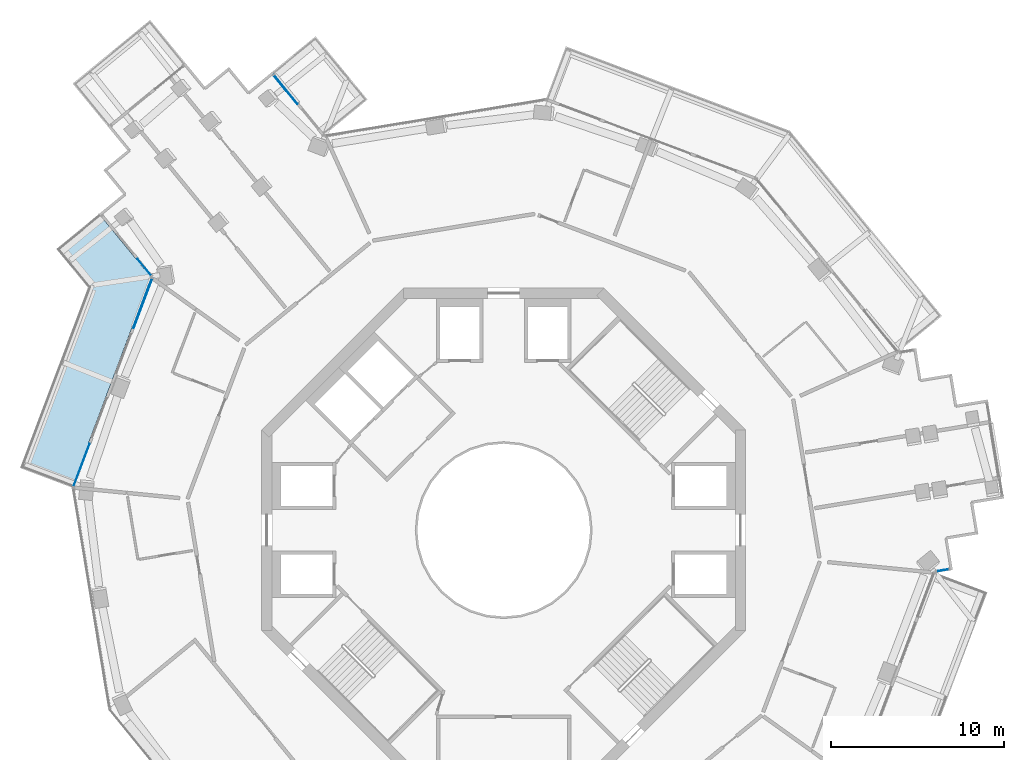
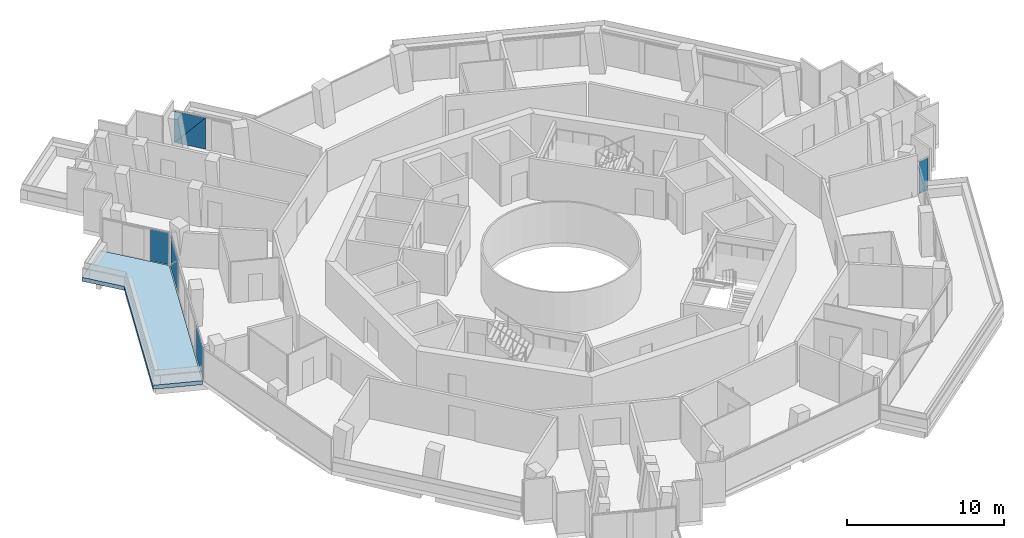
# One storey, part 12 of 21: 7 plates, 1 slab, 4 elements without a shape of their own.
"""IFC4 building model written with IfcOpenShell, lengths in metres."""

import ifcopenshell
import ifcopenshell.guid

model = None  # the IFC model being written
_history = None  # IfcOwnerHistory: only IFC2X3 demands one
_inside = {}  # id of a spatial element -> (the spatial element, [elements in it])
_under = {}  # id of a project, library or spatial element -> (it, [spatial elements below it])
_declared = {}  # id of a project -> (the project, [libraries it declares])
_typed = {}  # id of a type object -> (the type object, [elements of that type])
_made_of = {}  # id of a material, layer set ... -> (it, [elements and type objects made of it])


def new_model(schema):
    """Start an empty IFC model of exactly this schema.

    Asked for "IFC4X3", IfcOpenShell would pick the latest addendum, in which some entities
    have other attributes; the version numbers below select the first issue.
    IFC2X3 requires an IfcOwnerHistory on every rooted entity: one is made here for all.
    """
    global model, _history
    if schema == "IFC4X3":
        model = ifcopenshell.file(schema_version=(4, 3, 0, 0))
    else:
        model = ifcopenshell.file(schema=schema)
    _inside.clear()
    _under.clear()
    _declared.clear()
    _typed.clear()
    _made_of.clear()
    _history = None
    if model.schema == "IFC2X3":
        org = make("IfcOrganization", Name="unknown")
        user = make(
            "IfcPersonAndOrganization",
            ThePerson=make("IfcPerson", FamilyName="unknown"),
            TheOrganization=org,
        )
        app = make(
            "IfcApplication",
            ApplicationDeveloper=org,
            Version="unknown",
            ApplicationFullName="unknown",
            ApplicationIdentifier="unknown",
        )
        _history = make(
            "IfcOwnerHistory",
            OwningUser=user,
            OwningApplication=app,
            ChangeAction="ADDED",
            CreationDate=0,
        )
    return model


def make(cls, **values):
    """One entity of the class cls with the attributes given. An attribute that is None is left unset."""
    return model.create_entity(
        cls, **{name: value for name, value in values.items() if value is not None}
    )


def rooted(cls, **values):
    """An entity with a GlobalId (a new one), such as an element, a storey or a relation."""
    return make(cls, GlobalId=ifcopenshell.guid.new(), OwnerHistory=_history, **values)


def si_unit(unit_type, name, prefix=None):
    """IfcSIUnit, for example si_unit("LENGTHUNIT", "METRE", prefix="MILLI")."""
    return make("IfcSIUnit", UnitType=unit_type, Prefix=prefix, Name=name)


def assignment(units):
    """IfcUnitAssignment: the units of a project."""
    return None if units is None else make("IfcUnitAssignment", Units=units)


def point(xyz):
    """IfcCartesianPoint."""
    return None if xyz is None else make("IfcCartesianPoint", Coordinates=xyz)


def direction(xyz):
    """IfcDirection."""
    return None if xyz is None else make("IfcDirection", DirectionRatios=xyz)


def frame(location, z_axis=None, x_axis=None):
    """IfcAxis2Placement3D, a coordinate frame: its origin and axes. An axis left out is left unset."""
    return make(
        "IfcAxis2Placement3D",
        Location=point(location),
        Axis=direction(z_axis),
        RefDirection=direction(x_axis),
    )


def frame_2d(location, x_axis=None):
    """IfcAxis2Placement2D, a coordinate frame in the plane: its origin and x axis."""
    return make(
        "IfcAxis2Placement2D", Location=point(location), RefDirection=direction(x_axis)
    )


def origin():
    """The frame at (0, 0, 0) with its axes left unset."""
    return frame((0.0, 0.0, 0.0))


def origin_2d():
    """The frame at (0, 0) in the plane with its x axis left unset."""
    return frame_2d((0.0, 0.0))


def place(relative_to, where):
    """IfcLocalPlacement: puts the frame where relative to a parent placement (None: the world)."""
    return make(
        "IfcLocalPlacement", PlacementRelTo=relative_to, RelativePlacement=where
    )


def context(
    kind, dimensions, precision=None, world=None, true_north=None, identifier=None
):
    """IfcGeometricRepresentationContext, for example the 3D "Model" context."""
    return make(
        "IfcGeometricRepresentationContext",
        ContextIdentifier=identifier,
        ContextType=kind,
        CoordinateSpaceDimension=dimensions,
        Precision=precision,
        WorldCoordinateSystem=world,
        TrueNorth=true_north,
    )


def subcontext(parent, identifier, kind, view, scale=None):
    """IfcGeometricRepresentationSubContext, for example "Body" below "Model"."""
    return make(
        "IfcGeometricRepresentationSubContext",
        ContextIdentifier=identifier,
        ContextType=kind,
        ParentContext=parent,
        TargetScale=scale,
        TargetView=view,
    )


def project(units=None, contexts=None):
    """IfcProject with its units and contexts."""
    return rooted(
        "IfcProject",
        Name="project",
        RepresentationContexts=contexts,
        UnitsInContext=assignment(units),
    )


def spatial(cls, under=None, at=None, **own):
    """A site, building, storey or space (cls), placed at a placement, below another one or the project."""
    s = rooted(cls, ObjectPlacement=at, **own)
    if under is not None:
        _under.setdefault(under.id(), (under, []))[1].append(s)
    return s


def polyline(points):
    """IfcPolyline through the points."""
    return make("IfcPolyline", Points=[point(p) for p in points])


def profile(cls, at=None, kind="AREA", **sizes):
    """A parametric profile (cls). Its sizes go by their IFC names, for example OverallWidth=200.0."""
    return make(cls, ProfileType=kind, Position=at, **sizes)


def rectangle(**sizes):
    """IfcRectangleProfileDef."""
    return profile("IfcRectangleProfileDef", **sizes)


def outline(outer, holes=None, kind="AREA"):
    """IfcArbitraryClosedProfileDef: a profile drawn as a closed curve; with holes, ...WithVoids."""
    if holes is None:
        return make("IfcArbitraryClosedProfileDef", ProfileType=kind, OuterCurve=outer)
    return make(
        "IfcArbitraryProfileDefWithVoids",
        ProfileType=kind,
        OuterCurve=outer,
        InnerCurves=holes,
    )


def extrude(swept, where, along, depth):
    """IfcExtrudedAreaSolid: the profile swept, set in the frame where, extruded along a direction by depth."""
    return make(
        "IfcExtrudedAreaSolid",
        SweptArea=swept,
        Position=where,
        ExtrudedDirection=direction(along),
        Depth=depth,
    )


def shape(context_of_items, identifier, shape_type, items):
    """IfcShapeRepresentation: the items that make up one representation, for example the "Body"."""
    return make(
        "IfcShapeRepresentation",
        ContextOfItems=context_of_items,
        RepresentationIdentifier=identifier,
        RepresentationType=shape_type,
        Items=items,
    )


def material(Name=None, Category=None):
    """IfcMaterial."""
    return make("IfcMaterial", Name=Name, Category=Category)


def layer(
    of_material, thickness, ventilated=None, Name=None, Category=None, Priority=None
):
    """IfcMaterialLayer: one layer of a wall or slab, of a material (None: an air gap)."""
    return make(
        "IfcMaterialLayer",
        Material=of_material,
        LayerThickness=thickness,
        IsVentilated=ventilated,
        Name=Name,
        Category=Category,
        Priority=Priority,
    )


def layer_set(layers, Name=None):
    """IfcMaterialLayerSet."""
    return make("IfcMaterialLayerSet", MaterialLayers=layers, LayerSetName=Name)


def made_of(thing, what):
    """Note that an element or type object is made of a material, layer set ...; save() writes the relation."""
    if what is not None:
        _made_of.setdefault(what.id(), (what, []))[1].append(thing)
    return thing


def type_object(cls, material=None, **own):
    """A type object (cls), such as IfcWallType, which elements share."""
    return made_of(rooted(cls, **own), material)


def element(
    cls,
    number,
    at=None,
    inside=None,
    cuts=None,
    type_object=None,
    material=None,
    context=None,
    identifier="Body",
    shape_type=None,
    held_by="IfcProductDefinitionShape",
    body=None,
    shapes=None,
    **own,
):
    """One element of the class cls, such as IfcWall. Its Tag is "e" and its number.

    at: its placement. inside: the storey or other place that contains it. cuts: it is an
    opening in that element (IfcRelVoidsElement). A single representation is given by context,
    identifier, shape_type and body (its items); several are given by shapes. held_by: the class
    of the entity that holds the representations. save() writes the other relations.
    """
    e = rooted(cls, Tag="e%d" % number, ObjectPlacement=at, **own)
    if body is not None:
        shapes = [shape(context, identifier, shape_type, body)]
    if shapes is not None:
        e.Representation = make(held_by, Representations=shapes)
    if inside is not None:
        _inside.setdefault(inside.id(), (inside, []))[1].append(e)
    if cuts is not None:
        rooted(
            "IfcRelVoidsElement", RelatingBuildingElement=cuts, RelatedOpeningElement=e
        )
    if type_object is not None:
        _typed.setdefault(type_object.id(), (type_object, []))[1].append(e)
    return made_of(e, material)


def aggregate(whole, parts):
    """IfcRelAggregates: a whole, such as a stair, and the parts it consists of."""
    return rooted("IfcRelAggregates", RelatingObject=whole, RelatedObjects=parts)


def save(model, path):
    """Write the relations noted so far, then the file.

    IfcRelAggregates (storeys below a building ...), IfcRelContainedInSpatialStructure (elements
    in a storey), IfcRelDefinesByType, IfcRelAssociatesMaterial and IfcRelDeclares: one each for
    every whole, place, type object, material and project.
    """
    for whole, parts in _under.values():
        aggregate(whole, parts)
    for where, things in _inside.values():
        rooted(
            "IfcRelContainedInSpatialStructure",
            RelatedElements=things,
            RelatingStructure=where,
        )
    for kind, things in _typed.values():
        rooted("IfcRelDefinesByType", RelatedObjects=things, RelatingType=kind)
    for what, things in _made_of.values():
        rooted("IfcRelAssociatesMaterial", RelatedObjects=things, RelatingMaterial=what)
    for by, libraries in _declared.values():
        rooted("IfcRelDeclares", RelatingContext=by, RelatedDefinitions=libraries)
    model.write(path)


model = new_model("IFC4")

# Units and contexts
model_context = context("Model", 3, precision=1e-05, world=origin(), true_north=direction((0.0, 1.0)))
body_context = subcontext(model_context, "Body", "Model", "MODEL_VIEW")
ifc_project = project(units=[si_unit("LENGTHUNIT", "METRE"), si_unit("AREAUNIT", "SQUARE_METRE"), si_unit("VOLUMEUNIT", "CUBIC_METRE"), si_unit("PLANEANGLEUNIT", "RADIAN"), si_unit("MASSUNIT", "GRAM", prefix="KILO")], contexts=[model_context])

# Site, building, storey
site_placement = place(None, origin())
site = spatial("IfcSite", under=ifc_project, at=site_placement, CompositionType="ELEMENT")
building_placement = place(site_placement, origin())
building = spatial("IfcBuilding", under=site, at=building_placement, Name="Verdalira Terraces Hotel", CompositionType="ELEMENT")
storey_placement = place(building_placement, frame((0.0, 0.0, 194.0)))
storey = spatial("IfcBuildingStorey", under=building, at=storey_placement, Name="L47", CompositionType="ELEMENT", Elevation=194.0)

# Slab
ifc_material_1 = material(Name="Precast concrete C40/50", Category="concrete")
ifc_layer_1 = layer(ifc_material_1, 0.31005859375)
ifc_layer_set_1 = layer_set([ifc_layer_1], Name="Balcony deck 310")
slab_type = type_object("IfcSlabType", Name="Balcony deck 310", PredefinedType="FLOOR", material=ifc_layer_set_1)
slab_placement = place(storey_placement, frame((0.0, 0.0, -0.310059)))
element("IfcSlab", 1, at=slab_placement, inside=storey, type_object=slab_type, Name="Balcony deck", PredefinedType="FLOOR", context=body_context, shape_type="SweptSolid", body=[
    extrude(outline(polyline([(-24.055908, 14.032715), (-27.987061, 3.596191), (-24.992432, 2.468262), (-20.410156, 14.633789), (-23.413574, 18.29541), (-25.887695, 16.265869), (-24.055908, 14.032715)])), origin(), (0.0, 0.0, 1.0), 0.310059),
])

# Curtain wall, plates
ifc_material_2 = material(Name="Clear glass", Category="glass")
ifc_layer_2 = layer(ifc_material_2, 0.14990234375)
ifc_layer_set_2 = layer_set([ifc_layer_2], Name="CW1 curtain wall")
curtain_wall_type_1 = type_object("IfcCurtainWallType", Name="CW1 curtain wall", PredefinedType="NOTDEFINED", material=ifc_layer_set_2)
curtain_wall_1_placement = place(storey_placement, origin())
curtain_wall_1 = element("IfcCurtainWall", 2, at=curtain_wall_1_placement, inside=storey, type_object=curtain_wall_type_1, Name="CW1 curtain wall L47 edge 11", PredefinedType="NOTDEFINED")
ifc_material_3 = material(Name="Clear glass", Category="glass")
ifc_layer_3 = layer(ifc_material_3, 0.028076171875)
ifc_layer_set_3 = layer_set([ifc_layer_3], Name="CW1 glass unit 28")
plate_type_1 = type_object("IfcPlateType", Name="CW1 glass unit 28", PredefinedType="CURTAIN_PANEL", material=ifc_layer_set_3)
plate_1_placement = place(storey_placement, frame((-20.883545, 13.123779, 1.237549), z_axis=(-0.935813676, 0.352495055, 0.0), x_axis=(-0.352495055, -0.935813676, 0.0)))
plate_1 = element("IfcPlate", 3, at=plate_1_placement, type_object=plate_type_1, Name="CW1 glass unit", PredefinedType="CURTAIN_PANEL", context=body_context, shape_type="SweptSolid", body=[
    extrude(outline(polyline([(-1.52002, -1.237549), (1.52002, -1.237549), (1.52002, 1.237549), (-1.52002, -1.237549)])), origin(), (0.0, 0.0, 1.0), 0.028076),
])
plate_2_placement = place(storey_placement, frame((-20.856445, 13.113525, 1.237549), z_axis=(-0.935813676, 0.352495055, 0.0), x_axis=(-0.352495055, -0.935813676, 0.0)))
plate_2 = element("IfcPlate", 4, at=plate_2_placement, type_object=plate_type_1, Name="CW1 glass unit", PredefinedType="CURTAIN_PANEL", context=body_context, shape_type="SweptSolid", body=[
    extrude(outline(polyline([(-1.52002, -1.237549), (1.52002, 1.237549), (-1.52002, 1.237549), (-1.52002, -1.237549)])), origin(), (0.0, 0.0, 1.0), 0.028076),
])
plate_3_placement = place(storey_placement, frame((-24.421875, 3.77002, 0.0), z_axis=(0.0, 0.0, 1.0), x_axis=(-0.352495055, -0.935813676, 0.0)))
plate_3 = element("IfcPlate", 5, at=plate_3_placement, type_object=plate_type_1, Name="CW1 glass unit", PredefinedType="CURTAIN_PANEL", context=body_context, shape_type="SweptSolid", body=[
    extrude(rectangle(XDim=2.638428, YDim=0.028076, at=origin_2d()), origin(), (0.0, 0.0, 1.0), 2.475098),
])
aggregate(curtain_wall_1, [plate_1, plate_2, plate_3])

ifc_material_4 = material(Name="Clear glass", Category="glass")
ifc_layer_4 = layer(ifc_material_4, 0.14990234375)
ifc_layer_set_4 = layer_set([ifc_layer_4], Name="CW2 curtain wall")
curtain_wall_type_2 = type_object("IfcCurtainWallType", Name="CW2 curtain wall", PredefinedType="NOTDEFINED", material=ifc_layer_set_4)
curtain_wall_2_placement = place(storey_placement, origin())
curtain_wall_2 = element("IfcCurtainWall", 6, at=curtain_wall_2_placement, inside=storey, type_object=curtain_wall_type_2, Name="CW2 curtain wall L47 edge 0", PredefinedType="NOTDEFINED")
ifc_material_5 = material(Name="Clear glass", Category="glass")
ifc_layer_5 = layer(ifc_material_5, 0.031982421875)
ifc_layer_set_5 = layer_set([ifc_layer_5], Name="CW2 glass unit 32")
plate_type_2 = type_object("IfcPlateType", Name="CW2 glass unit 32", PredefinedType="CURTAIN_PANEL", material=ifc_layer_set_5)
plate_4_placement = place(storey_placement, frame((-12.61377, 25.483887, 1.237549), z_axis=(0.773176511, 0.634190889, 0.0), x_axis=(-0.634190889, 0.773176511, 0.0)))
plate_4 = element("IfcPlate", 7, at=plate_4_placement, type_object=plate_type_2, Name="CW2 glass unit", PredefinedType="CURTAIN_PANEL", context=body_context, shape_type="SweptSolid", body=[
    extrude(outline(polyline([(-1.071289, -1.237549), (1.071289, -1.237549), (-1.071289, 1.237549), (-1.071289, -1.237549)])), origin(), (0.0, 0.0, 1.0), 0.031982),
])
plate_5_placement = place(storey_placement, frame((-12.63916, 25.463135, 1.237549), z_axis=(0.773176511, 0.634190889, 0.0), x_axis=(-0.634190889, 0.773176511, 0.0)))
plate_5 = element("IfcPlate", 8, at=plate_5_placement, type_object=plate_type_2, Name="CW2 glass unit", PredefinedType="CURTAIN_PANEL", context=body_context, shape_type="SweptSolid", body=[
    extrude(outline(polyline([(1.071289, -1.237549), (1.071289, 1.237549), (-1.071289, 1.237549), (1.071289, -1.237549)])), origin(), (0.0, 0.0, 1.0), 0.031982),
])
aggregate(curtain_wall_2, [plate_4, plate_5])

# Curtain wall, plate
curtain_wall_3_placement = place(storey_placement, origin())
curtain_wall_3 = element("IfcCurtainWall", 9, at=curtain_wall_3_placement, inside=storey, type_object=curtain_wall_type_2, Name="CW2 curtain wall L47 edge 10", PredefinedType="NOTDEFINED")
plate_6_placement = place(storey_placement, frame((-20.78833, 15.213135, 0.0), z_axis=(0.0, 0.0, 1.0), x_axis=(0.634190889, -0.773176511, 0.0)))
plate_6 = element("IfcPlate", 10, at=plate_6_placement, type_object=plate_type_2, Name="CW2 glass unit", PredefinedType="CURTAIN_PANEL", context=body_context, shape_type="SweptSolid", body=[
    extrude(rectangle(XDim=1.23584, YDim=0.031982, at=origin_2d()), origin(), (0.0, 0.0, 1.0), 2.475098),
])
aggregate(curtain_wall_3, [plate_6])

curtain_wall_4_placement = place(storey_placement, origin())
curtain_wall_4 = element("IfcCurtainWall", 11, at=curtain_wall_4_placement, inside=storey, type_object=curtain_wall_type_2, Name="CW2 curtain wall L47 edge 28", PredefinedType="NOTDEFINED")
plate_7_placement = place(storey_placement, frame((25.399658, -2.324951, 0.0), z_axis=(0.0, 0.0, 1.0), x_axis=(0.986685944, 0.162637165, 0.0)))
plate_7 = element("IfcPlate", 12, at=plate_7_placement, type_object=plate_type_2, Name="CW2 glass unit", PredefinedType="CURTAIN_PANEL", context=body_context, shape_type="SweptSolid", body=[
    extrude(rectangle(XDim=0.709961, YDim=0.031982, at=origin_2d()), origin(), (0.0, 0.0, 1.0), 2.475098),
])
aggregate(curtain_wall_4, [plate_7])

save(model, "model.ifc")
